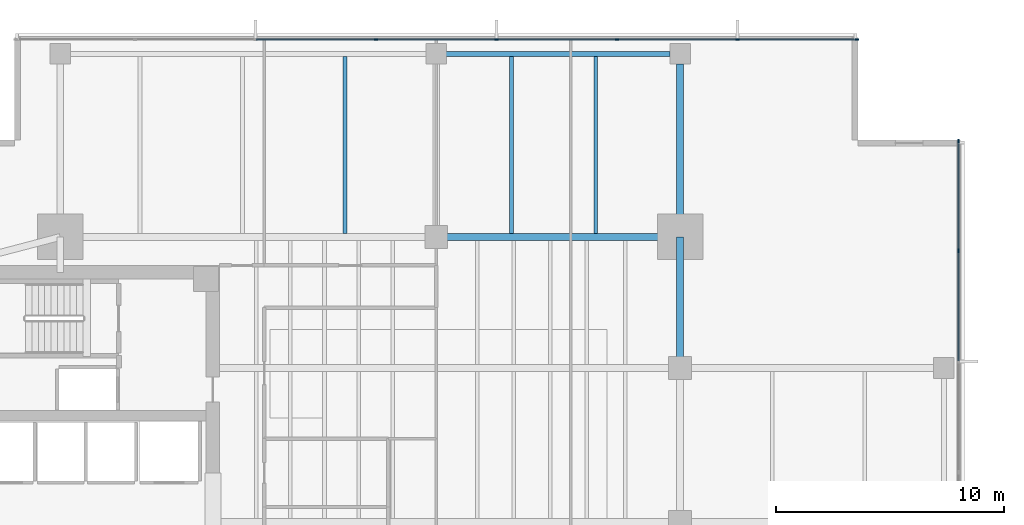
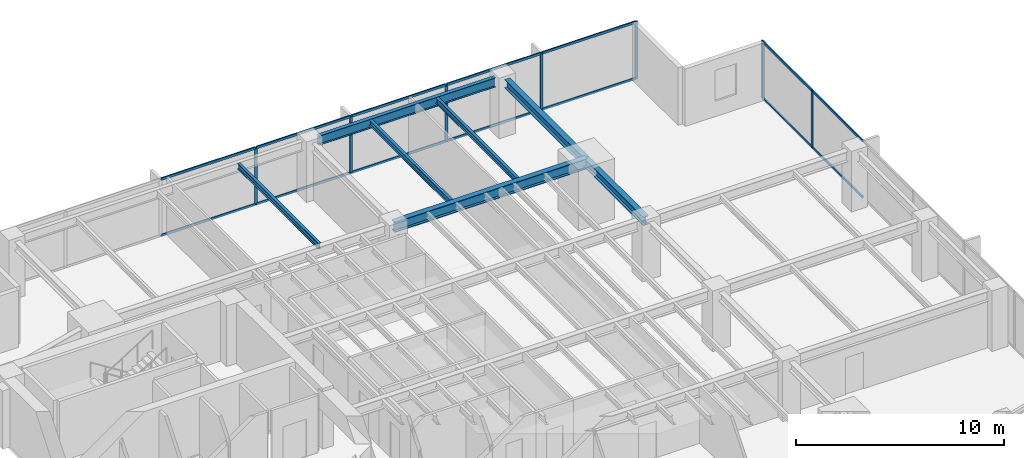
# One storey, part 6 of 14: 21 members, 7 beams, 2 elements without a shape of their own.
"""IFC4 building model written with IfcOpenShell, lengths in metres."""

from ifc_helpers import new_model, si_unit, direction, frame, origin, origin_2d, place, context, subcontext, project, spatial, rectangle, i_section, extrude, material, layer, layer_set, material_profile, profile_set, type_object, element, aggregate, save


model = new_model("IFC4")

# Units and contexts
model_context = context("Model", 3, precision=1e-05, world=origin(), true_north=direction((0.0, 1.0)))
body_context = subcontext(model_context, "Body", "Model", "MODEL_VIEW")
ifc_project = project(units=[si_unit("LENGTHUNIT", "METRE"), si_unit("AREAUNIT", "SQUARE_METRE"), si_unit("VOLUMEUNIT", "CUBIC_METRE"), si_unit("PLANEANGLEUNIT", "RADIAN"), si_unit("MASSUNIT", "GRAM", prefix="KILO")], contexts=[model_context])

# Site, building, storey
site_placement = place(None, origin())
site = spatial("IfcSite", under=ifc_project, at=site_placement, CompositionType="ELEMENT")
building_placement = place(site_placement, origin())
building = spatial("IfcBuilding", under=site, at=building_placement, Name="Kinhvarn Gate Tower", CompositionType="ELEMENT")
storey_placement = place(building_placement, frame((0.0, 0.0, 141.300048828125)))
storey = spatial("IfcBuildingStorey", under=building, at=storey_placement, Name="L37", CompositionType="ELEMENT", Elevation=141.300048828125)

# Curtain wall, members
ifc_material_1 = material(Name="Anodised aluminium AW-6063", Category="aluminium")
ifc_layer = layer(ifc_material_1, 0.179931640625)
ifc_layer_set = layer_set([ifc_layer], Name="Anodised aluminium AW-6063")
curtain_wall_type = type_object("IfcCurtainWallType", Name="CW-SYS-3", PredefinedType="NOTDEFINED", material=ifc_layer_set)
curtain_wall_1_placement = place(storey_placement, origin())
curtain_wall_1 = element("IfcCurtainWall", 1, at=curtain_wall_1_placement, inside=storey, type_object=curtain_wall_type, Name="Curtain Wall CW3 (L37)", PredefinedType="NOTDEFINED")
ifc_material_profile_1 = material_profile(ifc_material_1, rectangle(XDim=0.06494140625, YDim=0.159912109375, at=origin_2d()), Name="ALU 65x160")
ifc_profile_set_1 = profile_set([ifc_material_profile_1], Name="Anodised aluminium AW-6063")
member_type_1 = type_object("IfcMemberType", Name="CW-MUL-160", PredefinedType="MULLION", material=ifc_profile_set_1)
member_1_placement = place(storey_placement, frame((45.967529296875, 46.409912109375, 0.0), z_axis=(0.0, 0.0, 1.0), x_axis=(0.0, -1.0, 0.0)))
member_1 = element("IfcMember", 2, at=member_1_placement, type_object=member_type_1, Name="CW3 mullion 1", PredefinedType="MULLION", context=body_context, shape_type="SweptSolid", body=[
    extrude(rectangle(XDim=0.06494140625, YDim=0.159912109375, at=origin_2d()), origin(), (0.0, 0.0, 1.0), 3.369873046875),
])
member_2_placement = place(storey_placement, frame((40.71435546875, 46.409912109375, 0.0), z_axis=(0.0, 0.0, 1.0), x_axis=(0.0, -1.0, 0.0)))
member_2 = element("IfcMember", 3, at=member_2_placement, type_object=member_type_1, Name="CW3 mullion 2", PredefinedType="MULLION", context=body_context, shape_type="SweptSolid", body=[
    extrude(rectangle(XDim=0.06494140625, YDim=0.159912109375, at=origin_2d()), origin(), (0.0, 0.0, 1.0), 3.369873046875),
])
member_3_placement = place(storey_placement, frame((35.428466796875, 46.409912109375, 0.0), z_axis=(0.0, 0.0, 1.0), x_axis=(0.0, -1.0, 0.0)))
member_3 = element("IfcMember", 4, at=member_3_placement, type_object=member_type_1, Name="CW3 mullion 3", PredefinedType="MULLION", context=body_context, shape_type="SweptSolid", body=[
    extrude(rectangle(XDim=0.06494140625, YDim=0.159912109375, at=origin_2d()), origin(), (0.0, 0.0, 1.0), 3.369873046875),
])
member_4_placement = place(storey_placement, frame((30.142822265625, 46.409912109375, 0.0), z_axis=(0.0, 0.0, 1.0), x_axis=(0.0, -1.0, 0.0)))
member_4 = element("IfcMember", 5, at=member_4_placement, type_object=member_type_1, Name="CW3 mullion 4", PredefinedType="MULLION", context=body_context, shape_type="SweptSolid", body=[
    extrude(rectangle(XDim=0.06494140625, YDim=0.159912109375, at=origin_2d()), origin(), (0.0, 0.0, 1.0), 3.369873046875),
])
member_5_placement = place(storey_placement, frame((24.857177734375, 46.409912109375, 0.0), z_axis=(0.0, 0.0, 1.0), x_axis=(0.0, -1.0, 0.0)))
member_5 = element("IfcMember", 6, at=member_5_placement, type_object=member_type_1, Name="CW3 mullion 5", PredefinedType="MULLION", context=body_context, shape_type="SweptSolid", body=[
    extrude(rectangle(XDim=0.06494140625, YDim=0.159912109375, at=origin_2d()), origin(), (0.0, 0.0, 1.0), 3.369873046875),
])

curtain_wall_2_placement = place(storey_placement, origin())
curtain_wall_2 = element("IfcCurtainWall", 7, at=curtain_wall_2_placement, inside=storey, type_object=curtain_wall_type, Name="Curtain Wall CW3 (L37)", PredefinedType="NOTDEFINED")
member_6_placement = place(storey_placement, frame((50.409912109375, 37.142822265625, 0.0), z_axis=(0.0, 0.0, 1.0), x_axis=(-1.0, 0.0, 0.0)))
member_6 = element("IfcMember", 8, at=member_6_placement, type_object=member_type_1, Name="CW3 mullion 7", PredefinedType="MULLION", context=body_context, shape_type="SweptSolid", body=[
    extrude(rectangle(XDim=0.06494140625, YDim=0.159912109375, at=origin_2d()), origin(), (0.0, 0.0, 1.0), 3.369873046875),
])
member_7_placement = place(storey_placement, frame((50.409912109375, 41.967529296875, 0.0), z_axis=(0.0, 0.0, 1.0), x_axis=(-1.0, 0.0, 0.0)))
member_7 = element("IfcMember", 9, at=member_7_placement, type_object=member_type_1, Name="CW3 mullion 8", PredefinedType="MULLION", context=body_context, shape_type="SweptSolid", body=[
    extrude(rectangle(XDim=0.06494140625, YDim=0.159912109375, at=origin_2d()), origin(), (0.0, 0.0, 1.0), 3.369873046875),
])

# Member
ifc_material_profile_2 = material_profile(ifc_material_1, rectangle(XDim=0.070068359375, YDim=0.139892578125, at=origin_2d()), Name="ALU 70x140")
ifc_profile_set_2 = profile_set([ifc_material_profile_2], Name="Anodised aluminium AW-6063")
member_type_2 = type_object("IfcMemberType", Name="CW-TRN-140", PredefinedType="USERDEFINED", material=ifc_profile_set_2)
member_8_placement = place(storey_placement, frame((45.93505859375, 46.409912109375, 0.034912109375), z_axis=(-1.0, 0.0, 0.0), x_axis=(0.0, -1.0, 0.0)))
member_8 = element("IfcMember", 10, at=member_8_placement, type_object=member_type_2, Name="CW3 transom 1.1", ObjectType="TRANSOM", PredefinedType="USERDEFINED", context=body_context, shape_type="SweptSolid", body=[
    extrude(rectangle(XDim=0.070068359375, YDim=0.139892578125, at=origin_2d()), origin(), (0.0, 0.0, 1.0), 5.188232421875),
])

member_9_placement = place(storey_placement, frame((45.93505859375, 46.409912109375, 3.3349609375), z_axis=(-1.0, 0.0, 0.0), x_axis=(0.0, -1.0, 0.0)))
member_9 = element("IfcMember", 11, at=member_9_placement, type_object=member_type_2, Name="CW3 transom 1.2", ObjectType="TRANSOM", PredefinedType="USERDEFINED", context=body_context, shape_type="SweptSolid", body=[
    extrude(rectangle(XDim=0.070068359375, YDim=0.139892578125, at=origin_2d()), origin(), (0.0, 0.0, 1.0), 5.188232421875),
])

member_10_placement = place(storey_placement, frame((40.681884765625, 46.409912109375, 0.034912109375), z_axis=(-1.0, 0.0, 0.0), x_axis=(0.0, -1.0, 0.0)))
member_10 = element("IfcMember", 12, at=member_10_placement, type_object=member_type_2, Name="CW3 transom 2.1", ObjectType="TRANSOM", PredefinedType="USERDEFINED", context=body_context, shape_type="SweptSolid", body=[
    extrude(rectangle(XDim=0.070068359375, YDim=0.139892578125, at=origin_2d()), origin(), (0.0, 0.0, 1.0), 5.220703125),
])

member_11_placement = place(storey_placement, frame((40.681884765625, 46.409912109375, 3.3349609375), z_axis=(-1.0, 0.0, 0.0), x_axis=(0.0, -1.0, 0.0)))
member_11 = element("IfcMember", 13, at=member_11_placement, type_object=member_type_2, Name="CW3 transom 2.2", ObjectType="TRANSOM", PredefinedType="USERDEFINED", context=body_context, shape_type="SweptSolid", body=[
    extrude(rectangle(XDim=0.070068359375, YDim=0.139892578125, at=origin_2d()), origin(), (0.0, 0.0, 1.0), 5.220703125),
])

member_12_placement = place(storey_placement, frame((35.39599609375, 46.409912109375, 0.034912109375), z_axis=(-1.0, 0.0, 0.0), x_axis=(0.0, -1.0, 0.0)))
member_12 = element("IfcMember", 14, at=member_12_placement, type_object=member_type_2, Name="CW3 transom 3.1", ObjectType="TRANSOM", PredefinedType="USERDEFINED", context=body_context, shape_type="SweptSolid", body=[
    extrude(rectangle(XDim=0.070068359375, YDim=0.139892578125, at=origin_2d()), origin(), (0.0, 0.0, 1.0), 5.220703125),
])

member_13_placement = place(storey_placement, frame((35.39599609375, 46.409912109375, 3.3349609375), z_axis=(-1.0, 0.0, 0.0), x_axis=(0.0, -1.0, 0.0)))
member_13 = element("IfcMember", 15, at=member_13_placement, type_object=member_type_2, Name="CW3 transom 3.2", ObjectType="TRANSOM", PredefinedType="USERDEFINED", context=body_context, shape_type="SweptSolid", body=[
    extrude(rectangle(XDim=0.070068359375, YDim=0.139892578125, at=origin_2d()), origin(), (0.0, 0.0, 1.0), 5.220703125),
])

member_14_placement = place(storey_placement, frame((30.1103515625, 46.409912109375, 0.034912109375), z_axis=(-1.0, 0.0, 0.0), x_axis=(0.0, -1.0, 0.0)))
member_14 = element("IfcMember", 16, at=member_14_placement, type_object=member_type_2, Name="CW3 transom 4.1", ObjectType="TRANSOM", PredefinedType="USERDEFINED", context=body_context, shape_type="SweptSolid", body=[
    extrude(rectangle(XDim=0.070068359375, YDim=0.139892578125, at=origin_2d()), origin(), (0.0, 0.0, 1.0), 5.220703125),
])

member_15_placement = place(storey_placement, frame((30.1103515625, 46.409912109375, 3.3349609375), z_axis=(-1.0, 0.0, 0.0), x_axis=(0.0, -1.0, 0.0)))
member_15 = element("IfcMember", 17, at=member_15_placement, type_object=member_type_2, Name="CW3 transom 4.2", ObjectType="TRANSOM", PredefinedType="USERDEFINED", context=body_context, shape_type="SweptSolid", body=[
    extrude(rectangle(XDim=0.070068359375, YDim=0.139892578125, at=origin_2d()), origin(), (0.0, 0.0, 1.0), 5.220703125),
])

member_16_placement = place(storey_placement, frame((24.82470703125, 46.409912109375, 0.034912109375), z_axis=(-1.0, 0.0, 0.0), x_axis=(0.0, -1.0, 0.0)))
member_16 = element("IfcMember", 18, at=member_16_placement, type_object=member_type_2, Name="CW3 transom 5.1", ObjectType="TRANSOM", PredefinedType="USERDEFINED", context=body_context, shape_type="SweptSolid", body=[
    extrude(rectangle(XDim=0.070068359375, YDim=0.139892578125, at=origin_2d()), origin(), (0.0, 0.0, 1.0), 5.220703125),
])

member_17_placement = place(storey_placement, frame((24.82470703125, 46.409912109375, 3.3349609375), z_axis=(-1.0, 0.0, 0.0), x_axis=(0.0, -1.0, 0.0)))
member_17 = element("IfcMember", 19, at=member_17_placement, type_object=member_type_2, Name="CW3 transom 5.2", ObjectType="TRANSOM", PredefinedType="USERDEFINED", context=body_context, shape_type="SweptSolid", body=[
    extrude(rectangle(XDim=0.070068359375, YDim=0.139892578125, at=origin_2d()), origin(), (0.0, 0.0, 1.0), 5.220703125),
])

aggregate(curtain_wall_1, [member_1, member_2, member_3, member_4, member_5, member_8, member_9, member_10, member_11, member_12, member_13, member_14, member_15, member_16, member_17])

member_18_placement = place(storey_placement, frame((50.409912109375, 32.318115234375, 0.034912109375), z_axis=(0.0, 1.0, 0.0), x_axis=(-1.0, 0.0, 0.0)))
member_18 = element("IfcMember", 20, at=member_18_placement, type_object=member_type_2, Name="CW3 transom 6.1", ObjectType="TRANSOM", PredefinedType="USERDEFINED", context=body_context, shape_type="SweptSolid", body=[
    extrude(rectangle(XDim=0.070068359375, YDim=0.139892578125, at=origin_2d()), origin(), (0.0, 0.0, 1.0), 4.792236328125),
])

member_19_placement = place(storey_placement, frame((50.409912109375, 32.318115234375, 3.3349609375), z_axis=(0.0, 1.0, 0.0), x_axis=(-1.0, 0.0, 0.0)))
member_19 = element("IfcMember", 21, at=member_19_placement, type_object=member_type_2, Name="CW3 transom 6.2", ObjectType="TRANSOM", PredefinedType="USERDEFINED", context=body_context, shape_type="SweptSolid", body=[
    extrude(rectangle(XDim=0.070068359375, YDim=0.139892578125, at=origin_2d()), origin(), (0.0, 0.0, 1.0), 4.792236328125),
])

member_20_placement = place(storey_placement, frame((50.409912109375, 37.17529296875, 0.034912109375), z_axis=(0.0, 1.0, 0.0), x_axis=(-1.0, 0.0, 0.0)))
member_20 = element("IfcMember", 22, at=member_20_placement, type_object=member_type_2, Name="CW3 transom 7.1", ObjectType="TRANSOM", PredefinedType="USERDEFINED", context=body_context, shape_type="SweptSolid", body=[
    extrude(rectangle(XDim=0.070068359375, YDim=0.139892578125, at=origin_2d()), origin(), (0.0, 0.0, 1.0), 4.759765625),
])

member_21_placement = place(storey_placement, frame((50.409912109375, 37.17529296875, 3.3349609375), z_axis=(0.0, 1.0, 0.0), x_axis=(-1.0, 0.0, 0.0)))
member_21 = element("IfcMember", 23, at=member_21_placement, type_object=member_type_2, Name="CW3 transom 7.2", ObjectType="TRANSOM", PredefinedType="USERDEFINED", context=body_context, shape_type="SweptSolid", body=[
    extrude(rectangle(XDim=0.070068359375, YDim=0.139892578125, at=origin_2d()), origin(), (0.0, 0.0, 1.0), 4.759765625),
])

aggregate(curtain_wall_2, [member_6, member_7, member_18, member_19, member_20, member_21])

# Beams
ifc_material_2 = material(Name="Steel S355", Category="steel")
ifc_material_profile_3 = material_profile(ifc_material_2, i_section(OverallWidth=0.300048828125, OverallDepth=0.5, WebThickness=0.014404296875, FlangeThickness=0.028076171875, at=origin_2d()), Name="HEB 500")
ifc_profile_set_3 = profile_set([ifc_material_profile_3], Name="Steel S355")
beam_type_1 = type_object("IfcBeamType", Name="STL-HEB500", PredefinedType="BEAM", material=ifc_profile_set_3)
beam_1_placement = place(storey_placement, frame((38.199951171875, 37.75, 3.119873046875), z_axis=(0.0, 1.0, 0.0), x_axis=(-1.0, 0.0, 0.0)))
element("IfcBeam", 24, at=beam_1_placement, inside=storey, type_object=beam_type_1, Name="Floor Beam PG-14 (L37 MCE-N)", PredefinedType="BEAM", context=body_context, shape_type="SweptSolid", body=[
    extrude(i_section(OverallWidth=0.300048828125, OverallDepth=0.5, WebThickness=0.014404296875, FlangeThickness=0.028076171875, at=origin_2d()), origin(), (0.0, 0.0, 1.0), 7.594970703125),
])
beam_2_placement = place(storey_placement, frame((38.199951171875, 32.0, 3.119873046875), z_axis=(0.0, 1.0, 0.0), x_axis=(-1.0, 0.0, 0.0)))
element("IfcBeam", 25, at=beam_2_placement, inside=storey, type_object=beam_type_1, Name="Floor Beam PG-14 (L37 MG-E-32)", PredefinedType="BEAM", context=body_context, shape_type="SweptSolid", body=[
    extrude(i_section(OverallWidth=0.300048828125, OverallDepth=0.5, WebThickness=0.014404296875, FlangeThickness=0.028076171875, at=origin_2d()), origin(), (0.0, 0.0, 1.0), 5.75),
])
ifc_material_profile_4 = material_profile(ifc_material_2, i_section(OverallWidth=0.300048828125, OverallDepth=0.60009765625, WebThickness=0.015380859375, FlangeThickness=0.030029296875, at=origin_2d()), Name="HEB 600")
ifc_profile_set_4 = profile_set([ifc_material_profile_4], Name="Steel S355")
beam_type_2 = type_object("IfcBeamType", Name="STL-HEB600", PredefinedType="BEAM", material=ifc_profile_set_4)
beam_3_placement = place(storey_placement, frame((27.5, 37.75, 3.070068359375), z_axis=(1.0, 0.0, 0.0), x_axis=(0.0, 1.0, 0.0)))
element("IfcBeam", 26, at=beam_3_placement, inside=storey, type_object=beam_type_2, Name="Floor Beam PG-16 (L37 MG-N2)", PredefinedType="BEAM", context=body_context, shape_type="SweptSolid", body=[
    extrude(i_section(OverallWidth=0.300048828125, OverallDepth=0.60009765625, WebThickness=0.015380859375, FlangeThickness=0.030029296875, at=origin_2d()), origin(), (0.0, 0.0, 1.0), 10.699951171875),
])
ifc_material_profile_5 = material_profile(ifc_material_2, i_section(OverallWidth=0.159912109375, OverallDepth=0.330078125, WebThickness=0.007568359375, FlangeThickness=0.011474609375, at=origin_2d()), Name="IPE 330")
ifc_profile_set_5 = profile_set([ifc_material_profile_5], Name="Steel S355")
beam_type_3 = type_object("IfcBeamType", Name="STL-IPE330", PredefinedType="JOIST", material=ifc_profile_set_5)
for number, where, z_axis, x_axis, name in (
    (27, (23.5, 37.89990234375, 3.204833984375), (0.0, 1.0, 0.0), (-1.0, 0.0, 0.0), "Floor Joist SB-03 (L37 JN-X235)"),
    (28, (30.800048828125, 37.89990234375, 3.204833984375), (0.0, 1.0, 0.0), (-1.0, 0.0, 0.0), "Floor Joist SB-03 (L37 JN-X308)"),
    (29, (34.5, 37.89990234375, 3.204833984375), (0.0, 1.0, 0.0), (-1.0, 0.0, 0.0), "Floor Joist SB-03 (L37 JN-X345)"),
):
    element("IfcBeam", number, at=place(storey_placement, frame(where, z_axis=z_axis, x_axis=x_axis)), inside=storey, type_object=beam_type_3, Name=name, PredefinedType="JOIST", context=body_context, shape_type="SweptSolid", body=[
        extrude(i_section(OverallWidth=0.159912109375, OverallDepth=0.330078125, WebThickness=0.007568359375, FlangeThickness=0.011474609375, at=origin_2d()), origin(), (0.0, 0.0, 1.0), 7.775146484375),
    ])
ifc_material_profile_6 = material_profile(ifc_material_2, i_section(OverallWidth=0.2099609375, OverallDepth=0.550048828125, WebThickness=0.010986328125, FlangeThickness=0.01708984375, at=origin_2d()), Name="IPE 550")
ifc_profile_set_6 = profile_set([ifc_material_profile_6], Name="Steel S355")
beam_type_4 = type_object("IfcBeamType", Name="STL-IPE550", PredefinedType="SPANDREL", material=ifc_profile_set_6)
beam_4_placement = place(storey_placement, frame((27.93505859375, 45.780029296875, 3.094970703125), z_axis=(1.0, 0.0, 0.0), x_axis=(0.0, 1.0, 0.0)))
element("IfcBeam", 30, at=beam_4_placement, inside=storey, type_object=beam_type_4, Name="Floor Spandrel SB-08 (L37 SP-N2)", PredefinedType="SPANDREL", context=body_context, shape_type="SweptSolid", body=[
    extrude(i_section(OverallWidth=0.2099609375, OverallDepth=0.550048828125, WebThickness=0.010986328125, FlangeThickness=0.01708984375, at=origin_2d()), origin(), (0.0, 0.0, 1.0), 9.829833984375),
])

save(model, "model.ifc")
